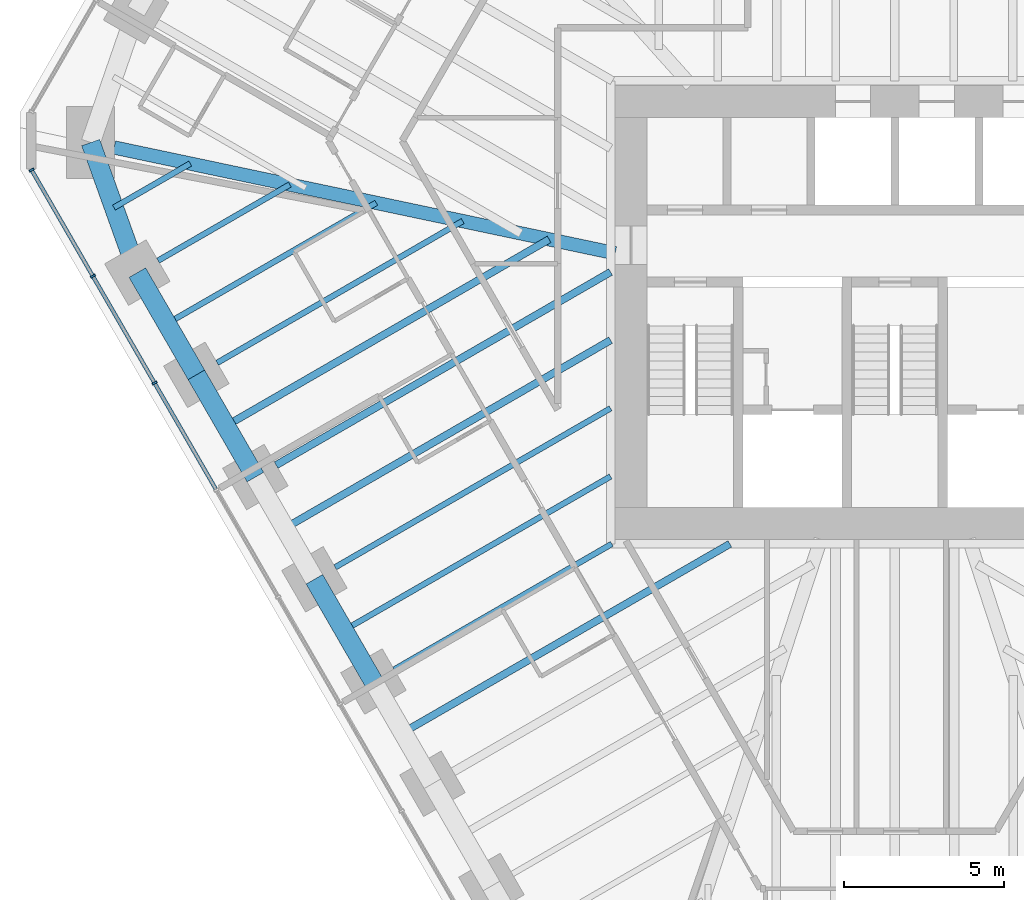
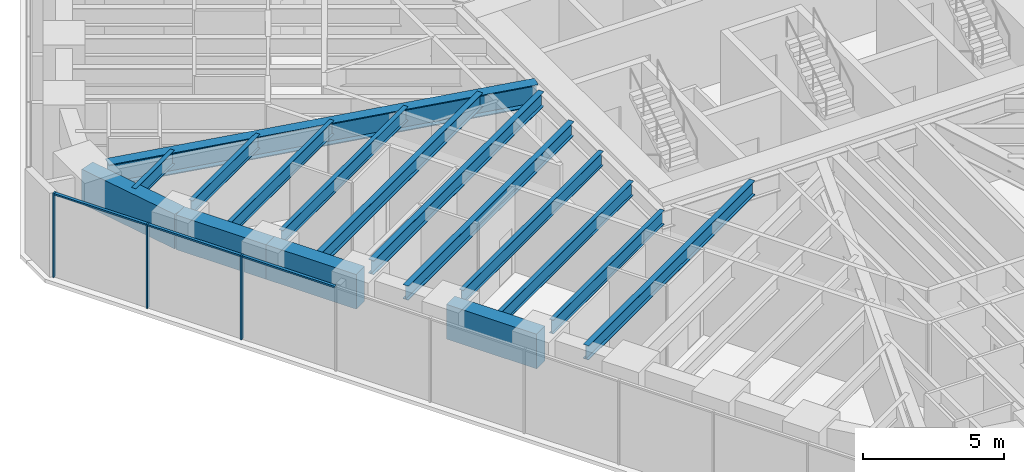
# One storey, part 3 of 17: 16 beams, 6 members, 1 element without a shape of its own.
"""IFC4 building model written with IfcOpenShell, lengths in metres."""

from ifc_helpers import new_model, si_unit, direction, frame, origin, origin_2d, place, context, subcontext, project, spatial, rectangle, i_section, extrude, material, material_profile, profile_set, type_object, element, aggregate, save


model = new_model("IFC4")

# Units and contexts
model_context = context("Model", 3, precision=1e-05, world=origin(), true_north=direction((0.0, 1.0)))
body_context = subcontext(model_context, "Body", "Model", "MODEL_VIEW")
ifc_project = project(units=[si_unit("LENGTHUNIT", "METRE"), si_unit("AREAUNIT", "SQUARE_METRE"), si_unit("VOLUMEUNIT", "CUBIC_METRE"), si_unit("PLANEANGLEUNIT", "RADIAN"), si_unit("MASSUNIT", "GRAM", prefix="KILO")], contexts=[model_context])

# Site, building, storey
site_placement = place(None, origin())
site = spatial("IfcSite", under=ifc_project, at=site_placement, CompositionType="ELEMENT")
building_placement = place(site_placement, origin())
building = spatial("IfcBuilding", under=site, at=building_placement, Name="Sandreach Pilgrim Tower", CompositionType="ELEMENT")
storey_placement = place(building_placement, frame((0.0, 0.0, 198.39990234375)))
storey = spatial("IfcBuildingStorey", under=building, at=storey_placement, Name="L49", CompositionType="ELEMENT", Elevation=198.39990234375)

# Curtain wall, members
ifc_material_1 = material(Name="Aluminium framed curtain wall", Category="aluminium")
curtain_wall_type = type_object("IfcCurtainWallType", Name="Upper hotel tower curtain wall", PredefinedType="NOTDEFINED", material=ifc_material_1)
curtain_wall_placement = place(storey_placement, origin())
curtain_wall = element("IfcCurtainWall", 1, at=curtain_wall_placement, inside=storey, type_object=curtain_wall_type, Name="CW-3 L49 SW", PredefinedType="NOTDEFINED")
ifc_material_2 = material(Name="Aluminium extrusion", Category="aluminium")
ifc_material_profile_1 = material_profile(ifc_material_2, rectangle(XDim=0.06494140625, YDim=0.159912109375, at=origin_2d()), Name="CW-3M 65X160")
ifc_profile_set_1 = profile_set([ifc_material_profile_1], Name="Aluminium extrusion")
member_type_1 = type_object("IfcMemberType", Name="CW-3 mullion", PredefinedType="MULLION", material=ifc_profile_set_1)
member_1_placement = place(storey_placement, frame((-23.15576171875, -2.21337890625, 0.0), z_axis=(0.0, 0.0, 1.0), x_axis=(-0.5, 0.866025403784, 0.0)))
member_1 = element("IfcMember", 2, at=member_1_placement, type_object=member_type_1, Name="CW-3 mullion 8", PredefinedType="MULLION", context=body_context, shape_type="SweptSolid", body=[
    extrude(rectangle(XDim=0.06494140625, YDim=0.159912109375, at=origin_2d()), origin(), (0.0, 0.0, 1.0), 3.64013671875),
])
member_2_placement = place(storey_placement, frame((-25.087890625, 1.13330078125, 0.0), z_axis=(0.0, 0.0, 1.0), x_axis=(-0.5, 0.866025403784, 0.0)))
member_2 = element("IfcMember", 3, at=member_2_placement, type_object=member_type_1, Name="CW-3 mullion 9", PredefinedType="MULLION", context=body_context, shape_type="SweptSolid", body=[
    extrude(rectangle(XDim=0.06494140625, YDim=0.159912109375, at=origin_2d()), origin(), (0.0, 0.0, 1.0), 3.64013671875),
])
member_3_placement = place(storey_placement, frame((-27.00390625, 4.451904296875, 0.0), z_axis=(0.0, 0.0, 1.0), x_axis=(-0.5, 0.866025403784, 0.0)))
member_3 = element("IfcMember", 4, at=member_3_placement, type_object=member_type_1, Name="CW-3 mullion 10", PredefinedType="MULLION", context=body_context, shape_type="SweptSolid", body=[
    extrude(rectangle(XDim=0.06494140625, YDim=0.159912109375, at=origin_2d()), origin(), (0.0, 0.0, 1.0), 3.64013671875),
])
ifc_material_3 = material(Name="Aluminium extrusion", Category="aluminium")
ifc_material_profile_2 = material_profile(ifc_material_3, rectangle(XDim=0.1201171875, YDim=0.070068359375, at=origin_2d()), Name="CW-3T 120X70")
ifc_profile_set_2 = profile_set([ifc_material_profile_2], Name="Aluminium extrusion")
member_type_2 = type_object("IfcMemberType", Name="CW-3 transom", PredefinedType="USERDEFINED", material=ifc_profile_set_2)
member_4_placement = place(storey_placement, frame((-21.23974609375, -5.531982421875, 3.60498046875), z_axis=(-0.499974606132, 0.866040064445, 0.0), x_axis=(-0.866040064445, -0.499974606132, 0.0)))
member_4 = element("IfcMember", 5, at=member_4_placement, type_object=member_type_2, Name="CW-3 head transom 7", ObjectType="TRANSOM", PredefinedType="USERDEFINED", context=body_context, shape_type="SweptSolid", body=[
    extrude(rectangle(XDim=0.1201171875, YDim=0.070068359375, at=origin_2d()), origin(), (0.0, 0.0, 1.0), 3.799560546875),
])
member_5_placement = place(storey_placement, frame((-23.171875, -2.185302734375, 3.60498046875), z_axis=(-0.500022797313, 0.86601224135, 0.0), x_axis=(-0.86601224135, -0.500022797313, 0.0)))
member_5 = element("IfcMember", 6, at=member_5_placement, type_object=member_type_2, Name="CW-3 head transom 8", ObjectType="TRANSOM", PredefinedType="USERDEFINED", context=body_context, shape_type="SweptSolid", body=[
    extrude(rectangle(XDim=0.1201171875, YDim=0.070068359375, at=origin_2d()), origin(), (0.0, 0.0, 1.0), 3.799560546875),
])
member_6_placement = place(storey_placement, frame((-25.104248046875, 1.161376953125, 3.60498046875), z_axis=(-0.499944992379, 0.86605716012, 0.0), x_axis=(-0.86605716012, -0.499944992379, 0.0)))
member_6 = element("IfcMember", 7, at=member_6_placement, type_object=member_type_2, Name="CW-3 head transom 9", ObjectType="TRANSOM", PredefinedType="USERDEFINED", context=body_context, shape_type="SweptSolid", body=[
    extrude(rectangle(XDim=0.1201171875, YDim=0.070068359375, at=origin_2d()), origin(), (0.0, 0.0, 1.0), 3.76708984375),
])
aggregate(curtain_wall, [member_1, member_2, member_3, member_4, member_5, member_6])

# Beams
ifc_material_4 = material(Name="Steel ASTM A992 Grade 50", Category="steel")
ifc_material_profile_3 = material_profile(ifc_material_4, i_section(OverallWidth=0.421630859375, OverallDepth=0.937255859375, WebThickness=0.0224609375, FlangeThickness=0.039794921875, at=origin_2d()), Name="W36X282")
ifc_profile_set_3 = profile_set([ifc_material_profile_3], Name="Steel ASTM A992 Grade 50")
beam_type_1 = type_object("IfcBeamType", Name="Corner girder W36X282", PredefinedType="BEAM", material=ifc_profile_set_3)
beam_1_placement = place(storey_placement, frame((-24.422607421875, 5.156494140625, 3.17138671875), z_axis=(0.978428978804, -0.206583478132, 0.0), x_axis=(0.206583478132, 0.978428978804, 0.0)))
element("IfcBeam", 8, at=beam_1_placement, inside=storey, type_object=beam_type_1, Name="BM L49 CG35", PredefinedType="BEAM", context=body_context, shape_type="SweptSolid", body=[
    extrude(i_section(OverallWidth=0.421630859375, OverallDepth=0.937255859375, WebThickness=0.0224609375, FlangeThickness=0.039794921875, at=origin_2d()), origin(), (0.0, 0.0, 1.0), 16.01806640625),
])
ifc_material_5 = material(Name="Steel ASTM A992 Grade 50", Category="steel")
ifc_material_profile_4 = material_profile(ifc_material_5, i_section(OverallWidth=0.1787109375, OverallDepth=0.60205078125, WebThickness=0.010986328125, FlangeThickness=0.014892578125, at=origin_2d()), Name="W24X62")
ifc_profile_set_4 = profile_set([ifc_material_profile_4], Name="Steel ASTM A992 Grade 50")
beam_type_2 = type_object("IfcBeamType", Name="Floor beam W24X62", PredefinedType="BEAM", material=ifc_profile_set_4)
beam_2_placement = place(storey_placement, frame((-15.661376953125, -11.173828125, 3.339111328125), z_axis=(0.866038711524, 0.49997694961, 0.0), x_axis=(-0.49997694961, 0.866038711524, 0.0)))
element("IfcBeam", 9, at=beam_2_placement, inside=storey, type_object=beam_type_2, Name="BM L49 F30", PredefinedType="BEAM", context=body_context, shape_type="SweptSolid", body=[
    extrude(i_section(OverallWidth=0.1787109375, OverallDepth=0.60205078125, WebThickness=0.010986328125, FlangeThickness=0.014892578125, at=origin_2d()), origin(), (0.0, 0.0, 1.0), 7.861083984375),
])
beam_3_placement = place(storey_placement, frame((-17.507568359375, -7.97607421875, 3.339111328125), z_axis=(0.866027815265, 0.499995823171, 0.0), x_axis=(-0.499995823171, 0.866027815265, 0.0)))
element("IfcBeam", 10, at=beam_3_placement, inside=storey, type_object=beam_type_2, Name="BM L49 F31", PredefinedType="BEAM", context=body_context, shape_type="SweptSolid", body=[
    extrude(i_section(OverallWidth=0.1787109375, OverallDepth=0.60205078125, WebThickness=0.010986328125, FlangeThickness=0.014892578125, at=origin_2d()), origin(), (0.0, 0.0, 1.0), 9.94677734375),
])
beam_4_placement = place(storey_placement, frame((-21.2001953125, -1.58056640625, 3.339111328125), z_axis=(0.866027448082, 0.499996459156, 0.0), x_axis=(-0.499996459156, 0.866027448082, 0.0)))
element("IfcBeam", 11, at=beam_4_placement, inside=storey, type_object=beam_type_2, Name="BM L49 F33", PredefinedType="BEAM", context=body_context, shape_type="SweptSolid", body=[
    extrude(i_section(OverallWidth=0.1787109375, OverallDepth=0.60205078125, WebThickness=0.010986328125, FlangeThickness=0.014892578125, at=origin_2d()), origin(), (0.0, 0.0, 1.0), 8.86962890625),
])
beam_5_placement = place(storey_placement, frame((-23.04638671875, 1.6171875, 3.339111328125), z_axis=(0.86603347311, 0.499986023258, 0.0), x_axis=(-0.499986023258, 0.86603347311, 0.0)))
element("IfcBeam", 12, at=beam_5_placement, inside=storey, type_object=beam_type_2, Name="BM L49 F34", PredefinedType="BEAM", context=body_context, shape_type="SweptSolid", body=[
    extrude(i_section(OverallWidth=0.1787109375, OverallDepth=0.60205078125, WebThickness=0.010986328125, FlangeThickness=0.014892578125, at=origin_2d()), origin(), (0.0, 0.0, 1.0), 4.757568359375),
])
beam_6_placement = place(storey_placement, frame((-17.23388671875, -9.949951171875, 3.339111328125), z_axis=(0.866025593094, 0.499999672107, 0.0), x_axis=(-0.499999672107, 0.866025593094, 0.0)))
element("IfcBeam", 13, at=beam_6_placement, inside=storey, type_object=beam_type_2, Name="BM L49 FM30", PredefinedType="BEAM", context=body_context, shape_type="SweptSolid", body=[
    extrude(i_section(OverallWidth=0.1787109375, OverallDepth=0.60205078125, WebThickness=0.010986328125, FlangeThickness=0.014892578125, at=origin_2d()), origin(), (0.0, 0.0, 1.0), 9.630859375),
])
beam_7_placement = place(storey_placement, frame((-22.772705078125, -0.356689453125, 3.339111328125), z_axis=(0.866029704776, 0.49999255039, 0.0), x_axis=(-0.49999255039, 0.866029704776, 0.0)))
element("IfcBeam", 14, at=beam_7_placement, inside=storey, type_object=beam_type_2, Name="BM L49 FM33", PredefinedType="BEAM", context=body_context, shape_type="SweptSolid", body=[
    extrude(i_section(OverallWidth=0.1787109375, OverallDepth=0.60205078125, WebThickness=0.010986328125, FlangeThickness=0.014892578125, at=origin_2d()), origin(), (0.0, 0.0, 1.0), 7.5634765625),
])
beam_8_placement = place(storey_placement, frame((-24.42626953125, 3.27685546875, 3.339111328125), z_axis=(0.866046803606, 0.49996293259, 0.0), x_axis=(-0.49996293259, 0.866046803606, 0.0)))
element("IfcBeam", 15, at=beam_8_placement, inside=storey, type_object=beam_type_2, Name="BM L49 FM34", PredefinedType="BEAM", context=body_context, shape_type="SweptSolid", body=[
    extrude(i_section(OverallWidth=0.1787109375, OverallDepth=0.60205078125, WebThickness=0.010986328125, FlangeThickness=0.014892578125, at=origin_2d()), origin(), (0.0, 0.0, 1.0), 2.753662109375),
])
ifc_material_6 = material(Name="Steel ASTM A992 Grade 50", Category="steel")
ifc_material_profile_5 = material_profile(ifc_material_6, i_section(OverallWidth=0.23046875, OverallDepth=0.6171875, WebThickness=0.01318359375, FlangeThickness=0.022216796875, at=origin_2d()), Name="W24X94")
ifc_profile_set_5 = profile_set([ifc_material_profile_5], Name="Steel ASTM A992 Grade 50")
beam_type_3 = type_object("IfcBeamType", Name="Floor beam W24X94", PredefinedType="BEAM", material=ifc_profile_set_5)
beam_9_placement = place(storey_placement, frame((-19.353759765625, -4.7783203125, 3.33154296875), z_axis=(0.866026713419, 0.49999773164, 0.0), x_axis=(-0.49999773164, 0.866026713419, 0.0)))
element("IfcBeam", 16, at=beam_9_placement, inside=storey, type_object=beam_type_3, Name="BM L49 F32", PredefinedType="BEAM", context=body_context, shape_type="SweptSolid", body=[
    extrude(i_section(OverallWidth=0.23046875, OverallDepth=0.6171875, WebThickness=0.01318359375, FlangeThickness=0.022216796875, at=origin_2d()), origin(), (0.0, 0.0, 1.0), 12.07861328125),
])
beam_10_placement = place(storey_placement, frame((-15.3876953125, -13.14794921875, 3.33154296875), z_axis=(0.866022050506, 0.500005808004, 0.0), x_axis=(-0.500005808004, 0.866022050506, 0.0)))
element("IfcBeam", 17, at=beam_10_placement, inside=storey, type_object=beam_type_3, Name="BM L49 FM29", PredefinedType="BEAM", context=body_context, shape_type="SweptSolid", body=[
    extrude(i_section(OverallWidth=0.23046875, OverallDepth=0.6171875, WebThickness=0.01318359375, FlangeThickness=0.022216796875, at=origin_2d()), origin(), (0.0, 0.0, 1.0), 11.808837890625),
])
beam_11_placement = place(storey_placement, frame((-19.080322265625, -6.752197265625, 3.33154296875), z_axis=(0.866030053141, 0.499991946992, 0.0), x_axis=(-0.499991946992, 0.866030053141, 0.0)))
element("IfcBeam", 18, at=beam_11_placement, inside=storey, type_object=beam_type_3, Name="BM L49 FM31", PredefinedType="BEAM", context=body_context, shape_type="SweptSolid", body=[
    extrude(i_section(OverallWidth=0.23046875, OverallDepth=0.6171875, WebThickness=0.01318359375, FlangeThickness=0.022216796875, at=origin_2d()), origin(), (0.0, 0.0, 1.0), 11.762939453125),
])
beam_12_placement = place(storey_placement, frame((-20.926513671875, -3.554443359375, 3.33154296875), z_axis=(0.866026454974, 0.499998179282, 0.0), x_axis=(-0.499998179282, 0.866026454974, 0.0)))
element("IfcBeam", 19, at=beam_12_placement, inside=storey, type_object=beam_type_3, Name="BM L49 FM32", PredefinedType="BEAM", context=body_context, shape_type="SweptSolid", body=[
    extrude(i_section(OverallWidth=0.23046875, OverallDepth=0.6171875, WebThickness=0.01318359375, FlangeThickness=0.022216796875, at=origin_2d()), origin(), (0.0, 0.0, 1.0), 11.67578125),
])
ifc_material_7 = material(Name="Concrete 10000 psi", Category="concrete")
ifc_material_profile_6 = material_profile(ifc_material_7, rectangle(XDim=0.60009765625, YDim=1.5, at=origin_2d()), Name="RC600X1500")
ifc_profile_set_6 = profile_set([ifc_material_profile_6], Name="Concrete 10000 psi")
beam_type_4 = type_object("IfcBeamType", Name="Spandrel beam RC600X1500", PredefinedType="SPANDREL", material=ifc_profile_set_6)
beam_13_placement = place(storey_placement, frame((-16.310791015625, -11.548828125, 2.89013671875), z_axis=(-0.500042951019, 0.866000604582, 0.0), x_axis=(-0.866000604582, -0.500042951019, 0.0)))
element("IfcBeam", 20, at=beam_13_placement, inside=storey, type_object=beam_type_4, Name="BM L49 SP30", PredefinedType="SPANDREL", context=body_context, shape_type="SweptSolid", body=[
    extrude(rectangle(XDim=0.60009765625, YDim=1.5, at=origin_2d()), origin(), (0.0, 0.0, 1.0), 3.692626953125),
])
for number, where, z_axis, x_axis, name in (
    (21, (-20.00341796875, -5.1533203125, 2.89013671875), (-0.499993363642, 0.866029235253, 0.0), (-0.866029235253, -0.499993363642, 0.0), "BM L49 SP32"),
    (22, (-21.849609375, -1.95556640625, 2.89013671875), (-0.499993363642, 0.866029235253, 0.0), (-0.866029235253, -0.499993363642, 0.0), "BM L49 SP33"),
):
    element("IfcBeam", number, at=place(storey_placement, frame(where, z_axis=z_axis, x_axis=x_axis)), inside=storey, type_object=beam_type_4, Name=name, PredefinedType="SPANDREL", context=body_context, shape_type="SweptSolid", body=[
        extrude(rectangle(XDim=0.60009765625, YDim=1.5, at=origin_2d()), origin(), (0.0, 0.0, 1.0), 3.6923828125),
    ])
beam_14_placement = place(storey_placement, frame((-23.69580078125, 1.2421875, 2.89013671875), z_axis=(-0.337863470932, 0.941195131208, 0.0), x_axis=(-0.941195131208, -0.337863470932, 0.0)))
element("IfcBeam", 23, at=beam_14_placement, inside=storey, type_object=beam_type_4, Name="BM L49 SP34", PredefinedType="SPANDREL", context=body_context, shape_type="SweptSolid", body=[
    extrude(rectangle(XDim=0.60009765625, YDim=1.5, at=origin_2d()), origin(), (0.0, 0.0, 1.0), 4.3232421875),
])

save(model, "model.ifc")
